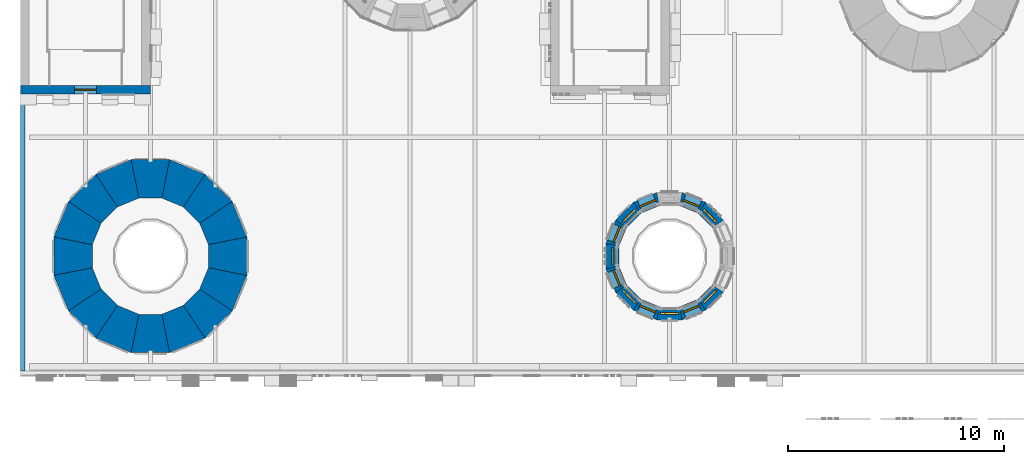
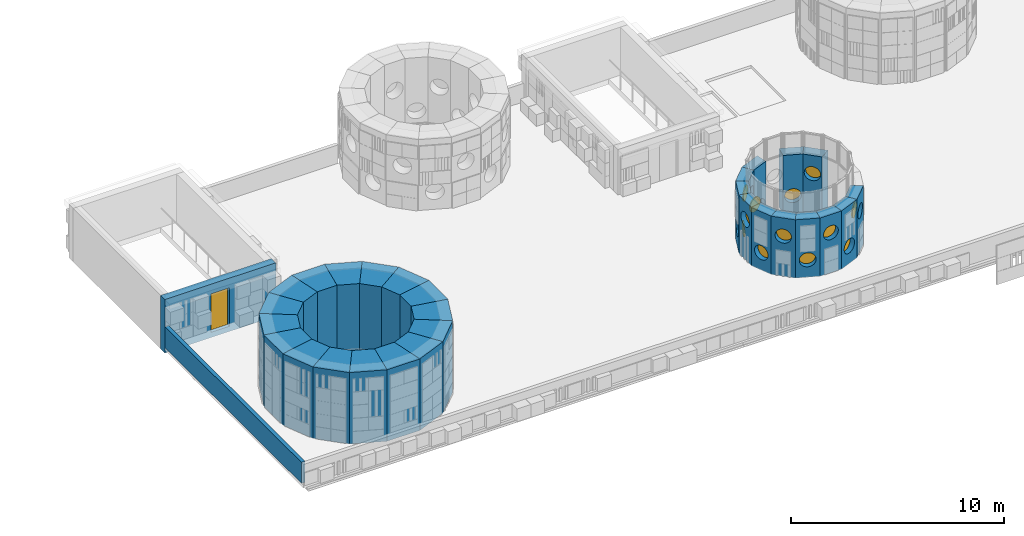
# One storey, part 49 of 98: 30 walls, 12 windows, 1 door, 13 openings.
"""IFC4 building model written with IfcOpenShell, lengths in metres."""

from ifc_helpers import new_model, si_unit, direction, frame, frame_2d, origin, place, context, subcontext, project, spatial, polyline, rectangle, circle, outline, extrude, material, layer, layer_set, type_object, element, fill, save


model = new_model("IFC4")

# Units and contexts
model_context = context("Model", 3, precision=1e-05, world=origin(), true_north=direction((0.0, 1.0)))
body_context = subcontext(model_context, "Body", "Model", "MODEL_VIEW")
ifc_project = project(units=[si_unit("LENGTHUNIT", "METRE"), si_unit("AREAUNIT", "SQUARE_METRE"), si_unit("VOLUMEUNIT", "CUBIC_METRE"), si_unit("PLANEANGLEUNIT", "RADIAN"), si_unit("MASSUNIT", "GRAM", prefix="KILO")], contexts=[model_context])

# Site, building, storey
site_placement = place(None, origin())
site = spatial("IfcSite", under=ifc_project, at=site_placement, CompositionType="ELEMENT")
building_placement = place(site_placement, origin())
building = spatial("IfcBuilding", under=site, at=building_placement, Name="Sun Court Science Centre", CompositionType="ELEMENT")
storey_placement = place(building_placement, frame((0.0, 0.0, 15.75)))
storey = spatial("IfcBuildingStorey", under=building, at=storey_placement, Name="L03", CompositionType="ELEMENT", Elevation=15.75)

# Walls
ifc_material_1 = material(Name="Concrete C30/37", Category="concrete")
ifc_layer_1 = layer(ifc_material_1, 1.777099609375)
ifc_layer_set_1 = layer_set([ifc_layer_1], Name="Concrete C30/37")
wall_type_1 = type_object("IfcWallType", Name="RC cone ring wall exterior 1777", PredefinedType="SHEAR", material=ifc_layer_set_1)
wall_1_placement = place(storey_placement, frame((9.641845703125, 12.047607421875, 0.110107421875), z_axis=(0.0, 0.0, 1.0), x_axis=(-0.382720206209, 0.923864299429, 0.0)))
element("IfcWall", 1, at=wall_1_placement, inside=storey, type_object=wall_type_1, Name="Cone 1 ring wall L03 segment 1", PredefinedType="SHEAR", context=body_context, shape_type="SweptSolid", body=[
    extrude(outline(polyline([(0.0, -0.888427734375), (1.775390625, -0.888427734375), (1.421875, 0.888427734375), (0.353515625, 0.888671875), (0.0, -0.888427734375)])), origin(), (0.0, 0.0, 1.0), 4.08984375),
])
wall_2_placement = place(storey_placement, frame((9.155029296875, 13.399658203125, 0.110107421875), z_axis=(0.0, 0.0, 1.0), x_axis=(-0.707106781187, 0.707106781187, 0.0)))
element("IfcWall", 2, at=wall_2_placement, inside=storey, type_object=wall_type_1, Name="Cone 1 ring wall L03 segment 2", PredefinedType="SHEAR", context=body_context, shape_type="SweptSolid", body=[
    extrude(outline(polyline([(0.0, -0.888427734375), (1.775390625, -0.888427734375), (1.421875, 0.888427734375), (0.353271484375, 0.888427734375), (0.0, -0.888427734375)])), origin(), (0.0, 0.0, 1.0), 4.08984375),
])
wall_3_placement = place(storey_placement, frame((8.187744140625, 14.46240234375, 0.110107421875), z_axis=(0.0, 0.0, 1.0), x_axis=(-0.923864299429, 0.382720206209, 0.0)))
element("IfcWall", 3, at=wall_3_placement, inside=storey, type_object=wall_type_1, Name="Cone 1 ring wall L03 segment 3", PredefinedType="SHEAR", context=body_context, shape_type="SweptSolid", body=[
    extrude(outline(polyline([(0.0, -0.888427734375), (1.775146484375, -0.888427734375), (1.421630859375, 0.888671875), (0.353271484375, 0.888427734375), (0.0, -0.888427734375)])), origin(), (0.0, 0.0, 1.0), 4.08984375),
])
wall_4_placement = place(storey_placement, frame((6.8876953125, 15.07421875, 0.110107421875), z_axis=(0.0, 0.0, 1.0), x_axis=(-1.0, 0.0, 0.0)))
element("IfcWall", 4, at=wall_4_placement, inside=storey, type_object=wall_type_1, Name="Cone 1 ring wall L03 segment 4", PredefinedType="SHEAR", context=body_context, shape_type="SweptSolid", body=[
    extrude(outline(polyline([(0.0, -0.888427734375), (1.775390625, -0.888427734375), (1.421875, 0.888671875), (0.353515625, 0.888671875), (0.0, -0.888427734375)])), origin(), (0.0, 0.0, 1.0), 4.08984375),
])
wall_5_placement = place(storey_placement, frame((5.452392578125, 15.141845703125, 0.110107421875), z_axis=(0.0, 0.0, 1.0), x_axis=(-0.923864299429, -0.382720206209, 0.0)))
element("IfcWall", 5, at=wall_5_placement, inside=storey, type_object=wall_type_1, Name="Cone 1 ring wall L03 segment 5", PredefinedType="SHEAR", context=body_context, shape_type="SweptSolid", body=[
    extrude(outline(polyline([(0.0, -0.888427734375), (1.775390625, -0.888427734375), (1.421875, 0.888427734375), (0.353515625, 0.888671875), (0.0, -0.888427734375)])), origin(), (0.0, 0.0, 1.0), 4.08984375),
])
wall_6_placement = place(storey_placement, frame((4.100341796875, 14.655029296875, 0.110107421875), z_axis=(0.0, 0.0, 1.0), x_axis=(-0.707106781187, -0.707106781187, 0.0)))
element("IfcWall", 6, at=wall_6_placement, inside=storey, type_object=wall_type_1, Name="Cone 1 ring wall L03 segment 6", PredefinedType="SHEAR", context=body_context, shape_type="SweptSolid", body=[
    extrude(outline(polyline([(0.0, -0.888427734375), (1.775390625, -0.888427734375), (1.421875, 0.888427734375), (0.353271484375, 0.888427734375), (0.0, -0.888427734375)])), origin(), (0.0, 0.0, 1.0), 4.08984375),
])
wall_7_placement = place(storey_placement, frame((3.03759765625, 13.687744140625, 0.110107421875), z_axis=(0.0, 0.0, 1.0), x_axis=(-0.382720206209, -0.923864299429, 0.0)))
element("IfcWall", 7, at=wall_7_placement, inside=storey, type_object=wall_type_1, Name="Cone 1 ring wall L03 segment 7", PredefinedType="SHEAR", context=body_context, shape_type="SweptSolid", body=[
    extrude(outline(polyline([(0.0, -0.888427734375), (1.775146484375, -0.888427734375), (1.421630859375, 0.888671875), (0.353271484375, 0.888427734375), (0.0, -0.888427734375)])), origin(), (0.0, 0.0, 1.0), 4.08984375),
])
wall_8_placement = place(storey_placement, frame((2.42578125, 12.3876953125, 0.110107421875), z_axis=(0.0, 0.0, 1.0), x_axis=(0.0, -1.0, 0.0)))
element("IfcWall", 8, at=wall_8_placement, inside=storey, type_object=wall_type_1, Name="Cone 1 ring wall L03 segment 8", PredefinedType="SHEAR", context=body_context, shape_type="SweptSolid", body=[
    extrude(outline(polyline([(0.0, -0.888427734375), (1.775390625, -0.888427734375), (1.421875, 0.888671875), (0.353515625, 0.888671875), (0.0, -0.888427734375)])), origin(), (0.0, 0.0, 1.0), 4.08984375),
])
wall_9_placement = place(storey_placement, frame((2.358154296875, 10.952392578125, 0.110107421875), z_axis=(0.0, 0.0, 1.0), x_axis=(0.382720206209, -0.923864299429, 0.0)))
element("IfcWall", 9, at=wall_9_placement, inside=storey, type_object=wall_type_1, Name="Cone 1 ring wall L03 segment 9", PredefinedType="SHEAR", context=body_context, shape_type="SweptSolid", body=[
    extrude(outline(polyline([(0.0, -0.888427734375), (1.775390625, -0.888427734375), (1.421875, 0.888427734375), (0.353515625, 0.888671875), (0.0, -0.888427734375)])), origin(), (0.0, 0.0, 1.0), 4.08984375),
])
wall_10_placement = place(storey_placement, frame((2.844970703125, 9.600341796875, 0.110107421875), z_axis=(0.0, 0.0, 1.0), x_axis=(0.707106781187, -0.707106781187, 0.0)))
element("IfcWall", 10, at=wall_10_placement, inside=storey, type_object=wall_type_1, Name="Cone 1 ring wall L03 segment 10", PredefinedType="SHEAR", context=body_context, shape_type="SweptSolid", body=[
    extrude(outline(polyline([(0.0, -0.888427734375), (1.775390625, -0.888427734375), (1.421875, 0.888427734375), (0.353271484375, 0.888427734375), (0.0, -0.888427734375)])), origin(), (0.0, 0.0, 1.0), 4.08984375),
])
wall_11_placement = place(storey_placement, frame((3.812255859375, 8.53759765625, 0.110107421875), z_axis=(0.0, 0.0, 1.0), x_axis=(0.923864299429, -0.382720206209, 0.0)))
element("IfcWall", 11, at=wall_11_placement, inside=storey, type_object=wall_type_1, Name="Cone 1 ring wall L03 segment 11", PredefinedType="SHEAR", context=body_context, shape_type="SweptSolid", body=[
    extrude(outline(polyline([(0.0, -0.888427734375), (1.775146484375, -0.888427734375), (1.421630859375, 0.888671875), (0.353271484375, 0.888427734375), (0.0, -0.888427734375)])), origin(), (0.0, 0.0, 1.0), 4.08984375),
])
wall_12_placement = place(storey_placement, frame((5.1123046875, 7.92578125, 0.110107421875), z_axis=(0.0, 0.0, 1.0), x_axis=(1.0, 0.0, 0.0)))
element("IfcWall", 12, at=wall_12_placement, inside=storey, type_object=wall_type_1, Name="Cone 1 ring wall L03 segment 12", PredefinedType="SHEAR", context=body_context, shape_type="SweptSolid", body=[
    extrude(outline(polyline([(0.0, -0.888427734375), (1.775390625, -0.888427734375), (1.421875, 0.888671875), (0.353515625, 0.888671875), (0.0, -0.888427734375)])), origin(), (0.0, 0.0, 1.0), 4.08984375),
])
wall_13_placement = place(storey_placement, frame((6.547607421875, 7.858154296875, 0.110107421875), z_axis=(0.0, 0.0, 1.0), x_axis=(0.923864299429, 0.382720206209, 0.0)))
element("IfcWall", 13, at=wall_13_placement, inside=storey, type_object=wall_type_1, Name="Cone 1 ring wall L03 segment 13", PredefinedType="SHEAR", context=body_context, shape_type="SweptSolid", body=[
    extrude(outline(polyline([(0.0, -0.888427734375), (1.775390625, -0.888427734375), (1.421875, 0.888427734375), (0.353515625, 0.888671875), (0.0, -0.888427734375)])), origin(), (0.0, 0.0, 1.0), 4.08984375),
])
wall_14_placement = place(storey_placement, frame((7.899658203125, 8.344970703125, 0.110107421875), z_axis=(0.0, 0.0, 1.0), x_axis=(0.707106781187, 0.707106781187, 0.0)))
element("IfcWall", 14, at=wall_14_placement, inside=storey, type_object=wall_type_1, Name="Cone 1 ring wall L03 segment 14", PredefinedType="SHEAR", context=body_context, shape_type="SweptSolid", body=[
    extrude(outline(polyline([(0.0, -0.888427734375), (1.775390625, -0.888427734375), (1.421875, 0.888427734375), (0.353271484375, 0.888427734375), (0.0, -0.888427734375)])), origin(), (0.0, 0.0, 1.0), 4.08984375),
])
wall_15_placement = place(storey_placement, frame((8.96240234375, 9.312255859375, 0.110107421875), z_axis=(0.0, 0.0, 1.0), x_axis=(0.382720206209, 0.923864299429, 0.0)))
element("IfcWall", 15, at=wall_15_placement, inside=storey, type_object=wall_type_1, Name="Cone 1 ring wall L03 segment 15", PredefinedType="SHEAR", context=body_context, shape_type="SweptSolid", body=[
    extrude(outline(polyline([(0.0, -0.888427734375), (1.775146484375, -0.888427734375), (1.421630859375, 0.888671875), (0.353271484375, 0.888427734375), (0.0, -0.888427734375)])), origin(), (0.0, 0.0, 1.0), 4.08984375),
])
wall_16_placement = place(storey_placement, frame((9.57421875, 10.6123046875, 0.110107421875), z_axis=(0.0, 0.0, 1.0), x_axis=(0.0, 1.0, 0.0)))
element("IfcWall", 16, at=wall_16_placement, inside=storey, type_object=wall_type_1, Name="Cone 1 ring wall L03 segment 16", PredefinedType="SHEAR", context=body_context, shape_type="SweptSolid", body=[
    extrude(outline(polyline([(0.0, -0.888427734375), (1.775390625, -0.888427734375), (1.421875, 0.888671875), (0.353515625, 0.888671875), (0.0, -0.888427734375)])), origin(), (0.0, 0.0, 1.0), 4.08984375),
])

# Wall, opening, window
ifc_material_2 = material(Name="Concrete C30/37", Category="concrete")
ifc_layer_2 = layer(ifc_material_2, 0.60009765625)
ifc_layer_set_2 = layer_set([ifc_layer_2], Name="Concrete C30/37")
wall_type_2 = type_object("IfcWallType", Name="RC cone ring wall exterior 600", PredefinedType="SHEAR", material=ifc_layer_set_2)
wall_17_placement = place(storey_placement, frame((32.2822265625, 12.95458984375, 0.110107421875), z_axis=(0.0, 0.0, 1.0), x_axis=(-0.707106781187, 0.707106781187, 0.0)))
wall_17 = element("IfcWall", 17, at=wall_17_placement, inside=storey, type_object=wall_type_2, Name="Cone 3 ring wall L03 segment 2", PredefinedType="SHEAR", context=body_context, shape_type="SweptSolid", body=[
    extrude(outline(polyline([(0.0, -0.300048828125), (1.17041015625, -0.300048828125), (1.05126953125, 0.2998046875), (0.119384765625, 0.2998046875), (0.0, -0.300048828125)])), origin(), (0.0, 0.0, 1.0), 3.33984375),
])
opening_1_placement = place(wall_17_placement, frame((0.185302734375, 0.0, 1.89990234375)))
opening_1 = element("IfcOpeningElement", 18, at=opening_1_placement, cuts=wall_17, Name="Opening WN-L03-025", PredefinedType="OPENING", context=body_context, shape_type="SweptSolid", body=[
    extrude(circle(Radius=0.39990234375, at=frame_2d((0.39990234375, 0.39990234375))), frame((0.0, 0.31005859375, 0.0), z_axis=(0.0, -1.0, 0.0), x_axis=(1.0, 0.0, 0.0)), (0.0, 0.0, 1.0), 0.6201171875),
])
ifc_material_3 = material(Name="Aluminium frame, 6-12-6 glazing", Category="aluminium")
window_type = type_object("IfcWindowType", Name="Round porthole 800", PartitioningType="SINGLE_PANEL", PredefinedType="WINDOW", material=ifc_material_3)
window_1_placement = place(opening_1_placement, origin())
window_1 = element("IfcWindow", 19, at=window_1_placement, inside=storey, type_object=window_type, Name="Round porthole cone 3 ring 4 02", OverallHeight=0.800048828125, OverallWidth=0.800048828125, PartitioningType="SINGLE_PANEL", PredefinedType="WINDOW", context=body_context, shape_type="SweptSolid", body=[
    extrude(circle(Radius=0.39990234375, at=frame_2d((0.39990234375, 0.39990234375))), frame((0.0, 0.030029296875, 0.0), z_axis=(0.0, -1.0, 0.0), x_axis=(1.0, 0.0, 0.0)), (0.0, 0.0, 1.0), 0.06005859375),
])
fill(opening_1, window_1)

wall_18_placement = place(storey_placement, frame((31.552001953125, 13.71728515625, 0.110107421875), z_axis=(0.0, 0.0, 1.0), x_axis=(-0.923877031545, 0.382689470177, 0.0)))
wall_18 = element("IfcWall", 20, at=wall_18_placement, inside=storey, type_object=wall_type_2, Name="Cone 3 ring wall L03 segment 3", PredefinedType="SHEAR", context=body_context, shape_type="SweptSolid", body=[
    extrude(outline(polyline([(0.0, -0.2998046875), (1.170654296875, -0.2998046875), (1.05126953125, 0.30029296875), (0.119384765625, 0.300048828125), (0.0, -0.2998046875)])), origin(), (0.0, 0.0, 1.0), 3.33984375),
])
opening_2_placement = place(wall_18_placement, frame((0.185302734375, 0.0, 0.60009765625)))
opening_2 = element("IfcOpeningElement", 21, at=opening_2_placement, cuts=wall_18, Name="Opening WN-L03-018", PredefinedType="OPENING", context=body_context, shape_type="SweptSolid", body=[
    extrude(circle(Radius=0.39990234375, at=frame_2d((0.39990234375, 0.39990234375))), frame((0.0, 0.31005859375, 0.0), z_axis=(0.0, -1.0, 0.0), x_axis=(1.0, 0.0, 0.0)), (0.0, 0.0, 1.0), 0.6201171875),
])
window_2_placement = place(opening_2_placement, origin())
window_2 = element("IfcWindow", 22, at=window_2_placement, inside=storey, type_object=window_type, Name="Round porthole cone 3 ring 4 03", OverallHeight=0.800048828125, OverallWidth=0.800048828125, PartitioningType="SINGLE_PANEL", PredefinedType="WINDOW", context=body_context, shape_type="SweptSolid", body=[
    extrude(circle(Radius=0.39990234375, at=frame_2d((0.39990234375, 0.39990234375))), frame((0.0, 0.030029296875, 0.0), z_axis=(0.0, -1.0, 0.0), x_axis=(1.0, 0.0, 0.0)), (0.0, 0.0, 1.0), 0.06005859375),
])
fill(opening_2, window_2)

wall_19_placement = place(storey_placement, frame((29.529541015625, 14.165283203125, 0.110107421875), z_axis=(0.0, 0.0, 1.0), x_axis=(-0.923877031545, -0.382689470177, 0.0)))
wall_19 = element("IfcWall", 23, at=wall_19_placement, inside=storey, type_object=wall_type_2, Name="Cone 3 ring wall L03 segment 5", PredefinedType="SHEAR", context=body_context, shape_type="SweptSolid", body=[
    extrude(outline(polyline([(0.0, -0.2998046875), (1.170654296875, -0.2998046875), (1.05126953125, 0.300048828125), (0.119384765625, 0.30029296875), (0.0, -0.2998046875)])), origin(), (0.0, 0.0, 1.0), 3.33984375),
])
opening_3_placement = place(wall_19_placement, frame((0.185302734375, 0.0, 0.60009765625)))
opening_3 = element("IfcOpeningElement", 24, at=opening_3_placement, cuts=wall_19, Name="Opening WN-L03-019", PredefinedType="OPENING", context=body_context, shape_type="SweptSolid", body=[
    extrude(circle(Radius=0.39990234375, at=frame_2d((0.39990234375, 0.39990234375))), frame((0.0, 0.31005859375, 0.0), z_axis=(0.0, -1.0, 0.0), x_axis=(1.0, 0.0, 0.0)), (0.0, 0.0, 1.0), 0.6201171875),
])
window_3_placement = place(opening_3_placement, origin())
window_3 = element("IfcWindow", 25, at=window_3_placement, inside=storey, type_object=window_type, Name="Round porthole cone 3 ring 4 05", OverallHeight=0.800048828125, OverallWidth=0.800048828125, PartitioningType="SINGLE_PANEL", PredefinedType="WINDOW", context=body_context, shape_type="SweptSolid", body=[
    extrude(circle(Radius=0.39990234375, at=frame_2d((0.39990234375, 0.39990234375))), frame((0.0, 0.030029296875, 0.0), z_axis=(0.0, -1.0, 0.0), x_axis=(1.0, 0.0, 0.0)), (0.0, 0.0, 1.0), 0.06005859375),
])
fill(opening_3, window_3)

wall_20_placement = place(storey_placement, frame((28.54541015625, 13.7822265625, 0.110107421875), z_axis=(0.0, 0.0, 1.0), x_axis=(-0.707106781187, -0.707106781187, 0.0)))
wall_20 = element("IfcWall", 26, at=wall_20_placement, inside=storey, type_object=wall_type_2, Name="Cone 3 ring wall L03 segment 6", PredefinedType="SHEAR", context=body_context, shape_type="SweptSolid", body=[
    extrude(outline(polyline([(0.0, -0.300048828125), (1.17041015625, -0.300048828125), (1.05126953125, 0.2998046875), (0.119384765625, 0.2998046875), (0.0, -0.300048828125)])), origin(), (0.0, 0.0, 1.0), 3.33984375),
])
opening_4_placement = place(wall_20_placement, frame((0.185302734375, 0.0, 1.89990234375)))
opening_4 = element("IfcOpeningElement", 27, at=opening_4_placement, cuts=wall_20, Name="Opening WN-L03-027", PredefinedType="OPENING", context=body_context, shape_type="SweptSolid", body=[
    extrude(circle(Radius=0.39990234375, at=frame_2d((0.39990234375, 0.39990234375))), frame((0.0, 0.31005859375, 0.0), z_axis=(0.0, -1.0, 0.0), x_axis=(1.0, 0.0, 0.0)), (0.0, 0.0, 1.0), 0.6201171875),
])
window_4_placement = place(opening_4_placement, origin())
window_4 = element("IfcWindow", 28, at=window_4_placement, inside=storey, type_object=window_type, Name="Round porthole cone 3 ring 4 06", OverallHeight=0.800048828125, OverallWidth=0.800048828125, PartitioningType="SINGLE_PANEL", PredefinedType="WINDOW", context=body_context, shape_type="SweptSolid", body=[
    extrude(circle(Radius=0.39990234375, at=frame_2d((0.39990234375, 0.39990234375))), frame((0.0, 0.030029296875, 0.0), z_axis=(0.0, -1.0, 0.0), x_axis=(1.0, 0.0, 0.0)), (0.0, 0.0, 1.0), 0.06005859375),
])
fill(opening_4, window_4)

wall_21_placement = place(storey_placement, frame((27.78271484375, 13.052001953125, 0.110107421875), z_axis=(0.0, 0.0, 1.0), x_axis=(-0.382689470177, -0.923877031545, 0.0)))
wall_21 = element("IfcWall", 29, at=wall_21_placement, inside=storey, type_object=wall_type_2, Name="Cone 3 ring wall L03 segment 7", PredefinedType="SHEAR", context=body_context, shape_type="SweptSolid", body=[
    extrude(outline(polyline([(0.0, -0.2998046875), (1.170654296875, -0.2998046875), (1.05126953125, 0.30029296875), (0.119384765625, 0.300048828125), (0.0, -0.2998046875)])), origin(), (0.0, 0.0, 1.0), 3.33984375),
])
opening_5_placement = place(wall_21_placement, frame((0.185302734375, 0.0, 0.60009765625)))
opening_5 = element("IfcOpeningElement", 30, at=opening_5_placement, cuts=wall_21, Name="Opening WN-L03-020", PredefinedType="OPENING", context=body_context, shape_type="SweptSolid", body=[
    extrude(circle(Radius=0.39990234375, at=frame_2d((0.39990234375, 0.39990234375))), frame((0.0, 0.31005859375, 0.0), z_axis=(0.0, -1.0, 0.0), x_axis=(1.0, 0.0, 0.0)), (0.0, 0.0, 1.0), 0.6201171875),
])
window_5_placement = place(opening_5_placement, origin())
window_5 = element("IfcWindow", 31, at=window_5_placement, inside=storey, type_object=window_type, Name="Round porthole cone 3 ring 4 07", OverallHeight=0.800048828125, OverallWidth=0.800048828125, PartitioningType="SINGLE_PANEL", PredefinedType="WINDOW", context=body_context, shape_type="SweptSolid", body=[
    extrude(circle(Radius=0.39990234375, at=frame_2d((0.39990234375, 0.39990234375))), frame((0.0, 0.030029296875, 0.0), z_axis=(0.0, -1.0, 0.0), x_axis=(1.0, 0.0, 0.0)), (0.0, 0.0, 1.0), 0.06005859375),
])
fill(opening_5, window_5)

wall_22_placement = place(storey_placement, frame((27.357666015625, 12.085205078125, 0.110107421875), z_axis=(0.0, 0.0, 1.0), x_axis=(0.0, -1.0, 0.0)))
wall_22 = element("IfcWall", 32, at=wall_22_placement, inside=storey, type_object=wall_type_2, Name="Cone 3 ring wall L03 segment 8", PredefinedType="SHEAR", context=body_context, shape_type="SweptSolid", body=[
    extrude(outline(polyline([(0.0, -0.300048828125), (1.17041015625, -0.300048828125), (1.051025390625, 0.300048828125), (0.119384765625, 0.300048828125), (0.0, -0.300048828125)])), origin(), (0.0, 0.0, 1.0), 3.33984375),
])
opening_6_placement = place(wall_22_placement, frame((0.185302734375, 0.0, 1.89990234375)))
opening_6 = element("IfcOpeningElement", 33, at=opening_6_placement, cuts=wall_22, Name="Opening WN-L03-028", PredefinedType="OPENING", context=body_context, shape_type="SweptSolid", body=[
    extrude(circle(Radius=0.39990234375, at=frame_2d((0.39990234375, 0.39990234375))), frame((0.0, 0.31005859375, 0.0), z_axis=(0.0, -1.0, 0.0), x_axis=(1.0, 0.0, 0.0)), (0.0, 0.0, 1.0), 0.6201171875),
])
window_6_placement = place(opening_6_placement, origin())
window_6 = element("IfcWindow", 34, at=window_6_placement, inside=storey, type_object=window_type, Name="Round porthole cone 3 ring 4 08", OverallHeight=0.800048828125, OverallWidth=0.800048828125, PartitioningType="SINGLE_PANEL", PredefinedType="WINDOW", context=body_context, shape_type="SweptSolid", body=[
    extrude(circle(Radius=0.39990234375, at=frame_2d((0.39990234375, 0.39990234375))), frame((0.0, 0.030029296875, 0.0), z_axis=(0.0, -1.0, 0.0), x_axis=(1.0, 0.0, 0.0)), (0.0, 0.0, 1.0), 0.06005859375),
])
fill(opening_6, window_6)

wall_23_placement = place(storey_placement, frame((27.334716796875, 11.029541015625, 0.110107421875), z_axis=(0.0, 0.0, 1.0), x_axis=(0.382689470177, -0.923877031545, 0.0)))
wall_23 = element("IfcWall", 35, at=wall_23_placement, inside=storey, type_object=wall_type_2, Name="Cone 3 ring wall L03 segment 9", PredefinedType="SHEAR", context=body_context, shape_type="SweptSolid", body=[
    extrude(outline(polyline([(0.0, -0.2998046875), (1.170654296875, -0.2998046875), (1.05126953125, 0.300048828125), (0.119384765625, 0.30029296875), (0.0, -0.2998046875)])), origin(), (0.0, 0.0, 1.0), 3.33984375),
])
opening_7_placement = place(wall_23_placement, frame((0.185302734375, 0.0, 0.60009765625)))
opening_7 = element("IfcOpeningElement", 36, at=opening_7_placement, cuts=wall_23, Name="Opening WN-L03-021", PredefinedType="OPENING", context=body_context, shape_type="SweptSolid", body=[
    extrude(circle(Radius=0.39990234375, at=frame_2d((0.39990234375, 0.39990234375))), frame((0.0, 0.31005859375, 0.0), z_axis=(0.0, -1.0, 0.0), x_axis=(1.0, 0.0, 0.0)), (0.0, 0.0, 1.0), 0.6201171875),
])
window_7_placement = place(opening_7_placement, origin())
window_7 = element("IfcWindow", 37, at=window_7_placement, inside=storey, type_object=window_type, Name="Round porthole cone 3 ring 4 09", OverallHeight=0.800048828125, OverallWidth=0.800048828125, PartitioningType="SINGLE_PANEL", PredefinedType="WINDOW", context=body_context, shape_type="SweptSolid", body=[
    extrude(circle(Radius=0.39990234375, at=frame_2d((0.39990234375, 0.39990234375))), frame((0.0, 0.030029296875, 0.0), z_axis=(0.0, -1.0, 0.0), x_axis=(1.0, 0.0, 0.0)), (0.0, 0.0, 1.0), 0.06005859375),
])
fill(opening_7, window_7)

wall_24_placement = place(storey_placement, frame((27.7177734375, 10.04541015625, 0.110107421875), z_axis=(0.0, 0.0, 1.0), x_axis=(0.707106781187, -0.707106781187, 0.0)))
wall_24 = element("IfcWall", 38, at=wall_24_placement, inside=storey, type_object=wall_type_2, Name="Cone 3 ring wall L03 segment 10", PredefinedType="SHEAR", context=body_context, shape_type="SweptSolid", body=[
    extrude(outline(polyline([(0.0, -0.300048828125), (1.17041015625, -0.300048828125), (1.05126953125, 0.2998046875), (0.119384765625, 0.2998046875), (0.0, -0.300048828125)])), origin(), (0.0, 0.0, 1.0), 3.33984375),
])
opening_8_placement = place(wall_24_placement, frame((0.185302734375, 0.0, 1.89990234375)))
opening_8 = element("IfcOpeningElement", 39, at=opening_8_placement, cuts=wall_24, Name="Opening WN-L03-029", PredefinedType="OPENING", context=body_context, shape_type="SweptSolid", body=[
    extrude(circle(Radius=0.39990234375, at=frame_2d((0.39990234375, 0.39990234375))), frame((0.0, 0.31005859375, 0.0), z_axis=(0.0, -1.0, 0.0), x_axis=(1.0, 0.0, 0.0)), (0.0, 0.0, 1.0), 0.6201171875),
])
window_8_placement = place(opening_8_placement, origin())
window_8 = element("IfcWindow", 40, at=window_8_placement, inside=storey, type_object=window_type, Name="Round porthole cone 3 ring 4 10", OverallHeight=0.800048828125, OverallWidth=0.800048828125, PartitioningType="SINGLE_PANEL", PredefinedType="WINDOW", context=body_context, shape_type="SweptSolid", body=[
    extrude(circle(Radius=0.39990234375, at=frame_2d((0.39990234375, 0.39990234375))), frame((0.0, 0.030029296875, 0.0), z_axis=(0.0, -1.0, 0.0), x_axis=(1.0, 0.0, 0.0)), (0.0, 0.0, 1.0), 0.06005859375),
])
fill(opening_8, window_8)

wall_25_placement = place(storey_placement, frame((28.447998046875, 9.28271484375, 0.110107421875), z_axis=(0.0, 0.0, 1.0), x_axis=(0.923877031545, -0.382689470177, 0.0)))
wall_25 = element("IfcWall", 41, at=wall_25_placement, inside=storey, type_object=wall_type_2, Name="Cone 3 ring wall L03 segment 11", PredefinedType="SHEAR", context=body_context, shape_type="SweptSolid", body=[
    extrude(outline(polyline([(0.0, -0.2998046875), (1.170654296875, -0.2998046875), (1.05126953125, 0.30029296875), (0.119384765625, 0.300048828125), (0.0, -0.2998046875)])), origin(), (0.0, 0.0, 1.0), 3.33984375),
])
opening_9_placement = place(wall_25_placement, frame((0.185302734375, 0.0, 0.60009765625)))
opening_9 = element("IfcOpeningElement", 42, at=opening_9_placement, cuts=wall_25, Name="Opening WN-L03-022", PredefinedType="OPENING", context=body_context, shape_type="SweptSolid", body=[
    extrude(circle(Radius=0.39990234375, at=frame_2d((0.39990234375, 0.39990234375))), frame((0.0, 0.31005859375, 0.0), z_axis=(0.0, -1.0, 0.0), x_axis=(1.0, 0.0, 0.0)), (0.0, 0.0, 1.0), 0.6201171875),
])
window_9_placement = place(opening_9_placement, origin())
window_9 = element("IfcWindow", 43, at=window_9_placement, inside=storey, type_object=window_type, Name="Round porthole cone 3 ring 4 11", OverallHeight=0.800048828125, OverallWidth=0.800048828125, PartitioningType="SINGLE_PANEL", PredefinedType="WINDOW", context=body_context, shape_type="SweptSolid", body=[
    extrude(circle(Radius=0.39990234375, at=frame_2d((0.39990234375, 0.39990234375))), frame((0.0, 0.030029296875, 0.0), z_axis=(0.0, -1.0, 0.0), x_axis=(1.0, 0.0, 0.0)), (0.0, 0.0, 1.0), 0.06005859375),
])
fill(opening_9, window_9)

wall_26_placement = place(storey_placement, frame((29.414794921875, 8.857666015625, 0.110107421875), z_axis=(0.0, 0.0, 1.0), x_axis=(1.0, 0.0, 0.0)))
wall_26 = element("IfcWall", 44, at=wall_26_placement, inside=storey, type_object=wall_type_2, Name="Cone 3 ring wall L03 segment 12", PredefinedType="SHEAR", context=body_context, shape_type="SweptSolid", body=[
    extrude(outline(polyline([(0.0, -0.300048828125), (1.17041015625, -0.300048828125), (1.051025390625, 0.300048828125), (0.119384765625, 0.300048828125), (0.0, -0.300048828125)])), origin(), (0.0, 0.0, 1.0), 3.33984375),
])
opening_10_placement = place(wall_26_placement, frame((0.185302734375, 0.0, 1.89990234375)))
opening_10 = element("IfcOpeningElement", 45, at=opening_10_placement, cuts=wall_26, Name="Opening WN-L03-030", PredefinedType="OPENING", context=body_context, shape_type="SweptSolid", body=[
    extrude(circle(Radius=0.39990234375, at=frame_2d((0.39990234375, 0.39990234375))), frame((0.0, 0.31005859375, 0.0), z_axis=(0.0, -1.0, 0.0), x_axis=(1.0, 0.0, 0.0)), (0.0, 0.0, 1.0), 0.6201171875),
])
window_10_placement = place(opening_10_placement, origin())
window_10 = element("IfcWindow", 46, at=window_10_placement, inside=storey, type_object=window_type, Name="Round porthole cone 3 ring 4 12", OverallHeight=0.800048828125, OverallWidth=0.800048828125, PartitioningType="SINGLE_PANEL", PredefinedType="WINDOW", context=body_context, shape_type="SweptSolid", body=[
    extrude(circle(Radius=0.39990234375, at=frame_2d((0.39990234375, 0.39990234375))), frame((0.0, 0.030029296875, 0.0), z_axis=(0.0, -1.0, 0.0), x_axis=(1.0, 0.0, 0.0)), (0.0, 0.0, 1.0), 0.06005859375),
])
fill(opening_10, window_10)

wall_27_placement = place(storey_placement, frame((30.470458984375, 8.834716796875, 0.110107421875), z_axis=(0.0, 0.0, 1.0), x_axis=(0.923877031545, 0.382689470177, 0.0)))
wall_27 = element("IfcWall", 47, at=wall_27_placement, inside=storey, type_object=wall_type_2, Name="Cone 3 ring wall L03 segment 13", PredefinedType="SHEAR", context=body_context, shape_type="SweptSolid", body=[
    extrude(outline(polyline([(0.0, -0.2998046875), (1.170654296875, -0.2998046875), (1.05126953125, 0.300048828125), (0.119384765625, 0.30029296875), (0.0, -0.2998046875)])), origin(), (0.0, 0.0, 1.0), 3.33984375),
])
opening_11_placement = place(wall_27_placement, frame((0.185302734375, 0.0, 0.60009765625)))
opening_11 = element("IfcOpeningElement", 48, at=opening_11_placement, cuts=wall_27, Name="Opening WN-L03-023", PredefinedType="OPENING", context=body_context, shape_type="SweptSolid", body=[
    extrude(circle(Radius=0.39990234375, at=frame_2d((0.39990234375, 0.39990234375))), frame((0.0, 0.31005859375, 0.0), z_axis=(0.0, -1.0, 0.0), x_axis=(1.0, 0.0, 0.0)), (0.0, 0.0, 1.0), 0.6201171875),
])
window_11_placement = place(opening_11_placement, origin())
window_11 = element("IfcWindow", 49, at=window_11_placement, inside=storey, type_object=window_type, Name="Round porthole cone 3 ring 4 13", OverallHeight=0.800048828125, OverallWidth=0.800048828125, PartitioningType="SINGLE_PANEL", PredefinedType="WINDOW", context=body_context, shape_type="SweptSolid", body=[
    extrude(circle(Radius=0.39990234375, at=frame_2d((0.39990234375, 0.39990234375))), frame((0.0, 0.030029296875, 0.0), z_axis=(0.0, -1.0, 0.0), x_axis=(1.0, 0.0, 0.0)), (0.0, 0.0, 1.0), 0.06005859375),
])
fill(opening_11, window_11)

wall_28_placement = place(storey_placement, frame((31.45458984375, 9.2177734375, 0.110107421875), z_axis=(0.0, 0.0, 1.0), x_axis=(0.707106781187, 0.707106781187, 0.0)))
wall_28 = element("IfcWall", 50, at=wall_28_placement, inside=storey, type_object=wall_type_2, Name="Cone 3 ring wall L03 segment 14", PredefinedType="SHEAR", context=body_context, shape_type="SweptSolid", body=[
    extrude(outline(polyline([(0.0, -0.300048828125), (1.17041015625, -0.300048828125), (1.05126953125, 0.2998046875), (0.119384765625, 0.2998046875), (0.0, -0.300048828125)])), origin(), (0.0, 0.0, 1.0), 3.33984375),
])
opening_12_placement = place(wall_28_placement, frame((0.185302734375, 0.0, 1.89990234375)))
opening_12 = element("IfcOpeningElement", 51, at=opening_12_placement, cuts=wall_28, Name="Opening WN-L03-031", PredefinedType="OPENING", context=body_context, shape_type="SweptSolid", body=[
    extrude(circle(Radius=0.39990234375, at=frame_2d((0.39990234375, 0.39990234375))), frame((0.0, 0.31005859375, 0.0), z_axis=(0.0, -1.0, 0.0), x_axis=(1.0, 0.0, 0.0)), (0.0, 0.0, 1.0), 0.6201171875),
])
window_12_placement = place(opening_12_placement, origin())
window_12 = element("IfcWindow", 52, at=window_12_placement, inside=storey, type_object=window_type, Name="Round porthole cone 3 ring 4 14", OverallHeight=0.800048828125, OverallWidth=0.800048828125, PartitioningType="SINGLE_PANEL", PredefinedType="WINDOW", context=body_context, shape_type="SweptSolid", body=[
    extrude(circle(Radius=0.39990234375, at=frame_2d((0.39990234375, 0.39990234375))), frame((0.0, 0.030029296875, 0.0), z_axis=(0.0, -1.0, 0.0), x_axis=(1.0, 0.0, 0.0)), (0.0, 0.0, 1.0), 0.06005859375),
])
fill(opening_12, window_12)

# Wall
ifc_material_4 = material(Name="Concrete C30/37", Category="concrete")
ifc_layer_3 = layer(ifc_material_4, 0.199951171875)
ifc_layer_set_3 = layer_set([ifc_layer_3], Name="Concrete C30/37")
wall_type_3 = type_object("IfcWallType", Name="RC parapet 200", PredefinedType="PARAPET", material=ifc_layer_set_3)
wall_29_placement = place(storey_placement, frame((0.10009765625, 6.199951171875, 0.0), z_axis=(0.0, 0.0, 1.0), x_axis=(0.0, 1.0, 0.0)))
element("IfcWall", 53, at=wall_29_placement, inside=storey, type_object=wall_type_3, Name="Roof parapet west 1", PredefinedType="PARAPET", context=body_context, shape_type="SweptSolid", body=[
    extrude(rectangle(XDim=12.800048828125, YDim=0.199951171875, at=frame_2d((6.39990234375, 0.0))), origin(), (0.0, 0.0, 1.0), 1.199951171875),
])

# Wall, opening, door
ifc_material_5 = material(Name="Concrete C30/37", Category="concrete")
ifc_layer_4 = layer(ifc_material_5, 0.39990234375)
ifc_layer_set_4 = layer_set([ifc_layer_4], Name="Concrete C30/37")
wall_type_4 = type_object("IfcWallType", Name="RC stair core wall 400", PredefinedType="SHEAR", material=ifc_layer_set_4)
wall_30_placement = place(storey_placement, frame((0.0, 19.199951171875, -0.300048828125), z_axis=(0.0, 0.0, 1.0), x_axis=(1.0, 0.0, 0.0)))
wall_30 = element("IfcWall", 54, at=wall_30_placement, inside=storey, type_object=wall_type_4, Name="Stair core SB1 wall S, L03", PredefinedType="SHEAR", context=body_context, shape_type="SweptSolid", body=[
    extrude(rectangle(XDim=6.0, YDim=0.39990234375, at=frame_2d((3.0, 0.0))), origin(), (0.0, 0.0, 1.0), 3.050048828125),
])
opening_13_placement = place(wall_30_placement, frame((2.5, 0.0, 0.300048828125)))
opening_13 = element("IfcOpeningElement", 55, at=opening_13_placement, cuts=wall_30, Name="Opening D-L03-001", PredefinedType="OPENING", context=body_context, shape_type="SweptSolid", body=[
    extrude(rectangle(XDim=1.0, YDim=2.199951171875, at=frame_2d((0.5, 1.10009765625))), frame((0.0, 0.2099609375, 0.0), z_axis=(0.0, -1.0, 0.0), x_axis=(1.0, 0.0, 0.0)), (0.0, 0.0, 1.0), 0.419921875),
])
ifc_material_6 = material(Name="Steel and glass", Category="steel")
door_type = type_object("IfcDoorType", Name="Exterior door 1000 x 2200 single", OperationType="SINGLE_SWING_LEFT", PredefinedType="DOOR", material=ifc_material_6)
door_placement = place(opening_13_placement, origin())
door = element("IfcDoor", 56, at=door_placement, inside=storey, type_object=door_type, Name="Roof access door D-L03-001 to the maintenance roof", OperationType="SINGLE_SWING_LEFT", OverallHeight=2.199951171875, OverallWidth=1.0, PredefinedType="DOOR", context=body_context, shape_type="SweptSolid", body=[
    extrude(rectangle(XDim=1.0, YDim=2.199951171875, at=frame_2d((0.5, 1.10009765625))), frame((0.0, 0.02490234375, 0.0), z_axis=(0.0, -1.0, 0.0), x_axis=(1.0, 0.0, 0.0)), (0.0, 0.0, 1.0), 0.050048828125),
])
fill(opening_13, door)

save(model, "model.ifc")
